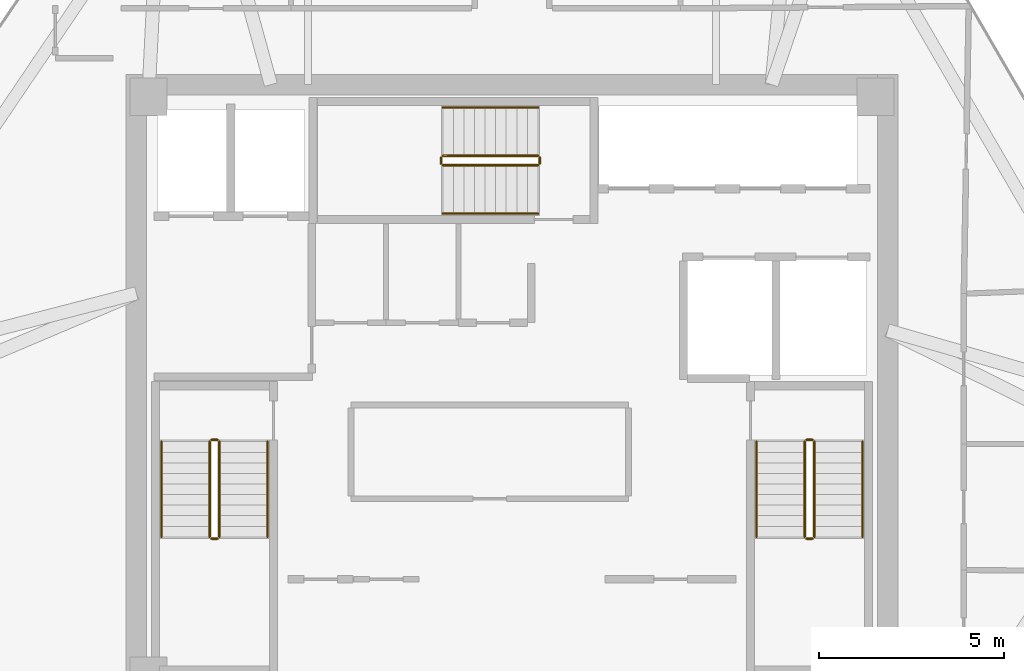
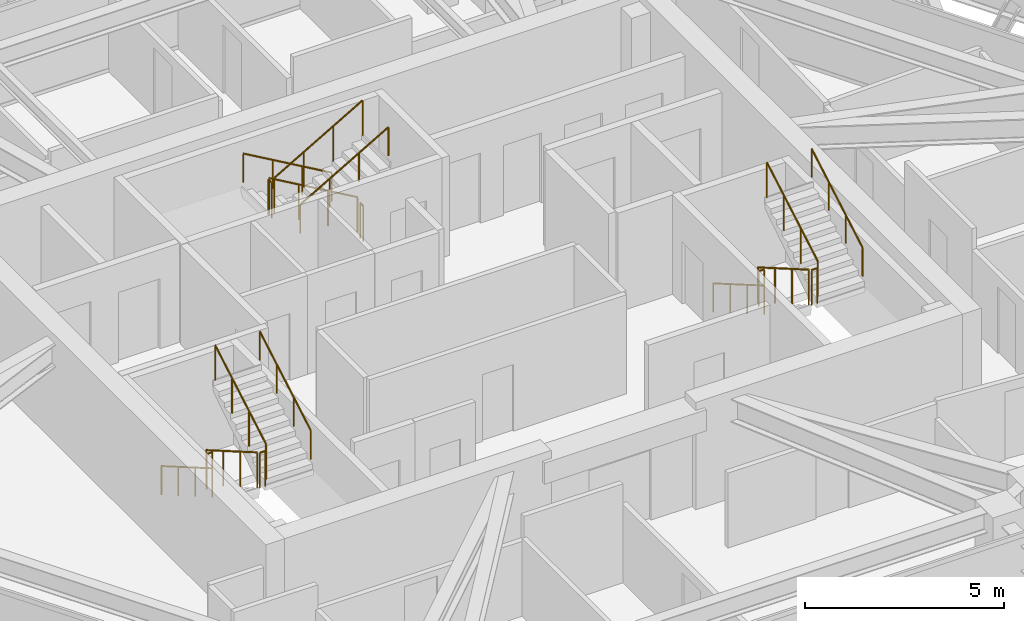
# One storey, part 11 of 11: 18 railings.
"""IFC4 building model written with IfcOpenShell, lengths in metres."""

from ifc_helpers import new_model, si_unit, direction, frame, origin, origin_2d, place, context, subcontext, project, spatial, circle, extrude, material, type_object, element, save


model = new_model("IFC4")

# Units and contexts
model_context = context("Model", 3, precision=1e-05, world=origin(), true_north=direction((0.0, 1.0)))
body_context = subcontext(model_context, "Body", "Model", "MODEL_VIEW")
ifc_project = project(units=[si_unit("LENGTHUNIT", "METRE"), si_unit("AREAUNIT", "SQUARE_METRE"), si_unit("VOLUMEUNIT", "CUBIC_METRE"), si_unit("PLANEANGLEUNIT", "RADIAN"), si_unit("MASSUNIT", "GRAM", prefix="KILO")], contexts=[model_context])

# Site, building, storey
site_placement = place(None, origin())
site = spatial("IfcSite", under=ifc_project, at=site_placement, CompositionType="ELEMENT")
building_placement = place(site_placement, origin())
building = spatial("IfcBuilding", under=site, at=building_placement, Name="Durnholm Broadcast Tower", CompositionType="ELEMENT")
storey_placement = place(building_placement, frame((0.0, 0.0, 231.5)))
storey = spatial("IfcBuildingStorey", under=building, at=storey_placement, Name="L64", CompositionType="ELEMENT", Elevation=231.5)

# Railings
ifc_material_1 = material(Name="Painted Tubular Steel Stair Guardrail", Category="steel")
railing_type_1 = type_object("IfcRailingType", Name="RAIL-ST-GRD", PredefinedType="GUARDRAIL", material=ifc_material_1)
railing_1_placement = place(storey_placement, frame((-8.14990234375, -1.5, 0.1650390625)))
element("IfcRailing", 1, at=railing_1_placement, inside=storey, type_object=railing_type_1, Name="L64 ST-1 stair guard 1", PredefinedType="GUARDRAIL", context=body_context, shape_type="SweptSolid", body=[
    extrude(circle(Radius=0.02392578125, at=origin_2d()), frame((0.0, 0.0, 1.076171875), z_axis=(0.0, -0.865441324677, 0.50101029285), x_axis=(1.0, 0.0, 0.0)), (0.0, 0.0, 1.0), 2.963623046875),
    extrude(circle(Radius=0.02099609375, at=origin_2d()), origin(), (0.0, 0.0, 1.0), 1.052001953125),
    extrude(circle(Radius=0.02099609375, at=origin_2d()), frame((0.0, -0.85498046875, 0.494873046875)), (0.0, 0.0, 1.0), 1.052001953125),
    extrude(circle(Radius=0.02099609375, at=origin_2d()), frame((0.0, -1.7099609375, 0.989990234375)), (0.0, 0.0, 1.0), 1.052001953125),
    extrude(circle(Radius=0.02099609375, at=origin_2d()), frame((0.0, -2.56494140625, 1.48486328125)), (0.0, 0.0, 1.0), 1.052001953125),
])
railing_2_placement = place(storey_placement, frame((-8.10009765625, -4.114990234375, 1.64990234375)))
element("IfcRailing", 2, at=railing_2_placement, inside=storey, type_object=railing_type_1, Name="L64 ST-1 stair guard 2", PredefinedType="GUARDRAIL", context=body_context, shape_type="SweptSolid", body=[
    extrude(circle(Radius=0.02392578125, at=origin_2d()), frame((0.0, 0.0, 1.076171875), z_axis=(1.0, 0.0, 0.0), x_axis=(0.0, 1.0, 0.0)), (0.0, 0.0, 1.0), 0.16015625),
    extrude(circle(Radius=0.02099609375, at=origin_2d()), origin(), (0.0, 0.0, 1.0), 1.052001953125),
    extrude(circle(Radius=0.02099609375, at=origin_2d()), frame((0.16015625, 0.0, 0.0)), (0.0, 0.0, 1.0), 1.052001953125),
])
railing_3_placement = place(storey_placement, frame((-7.889892578125, -4.06494140625, 1.81494140625)))
element("IfcRailing", 3, at=railing_3_placement, inside=storey, type_object=railing_type_1, Name="L64 ST-1 stair guard 3", PredefinedType="GUARDRAIL", context=body_context, shape_type="SweptSolid", body=[
    extrude(circle(Radius=0.02392578125, at=origin_2d()), frame((0.0, 0.0, 1.076171875), z_axis=(0.0, 0.865405606168, 0.501071987656), x_axis=(-1.0, 0.0, 0.0)), (0.0, 0.0, 1.0), 2.9638671875),
    extrude(circle(Radius=0.02099609375, at=origin_2d()), origin(), (0.0, 0.0, 1.0), 1.052001953125),
    extrude(circle(Radius=0.02099609375, at=origin_2d()), frame((0.0, 0.85498046875, 0.4951171875)), (0.0, 0.0, 1.0), 1.052001953125),
    extrude(circle(Radius=0.02099609375, at=origin_2d()), frame((0.0, 1.7099609375, 0.989990234375)), (0.0, 0.0, 1.0), 1.052001953125),
    extrude(circle(Radius=0.02099609375, at=origin_2d()), frame((0.0, 2.56494140625, 1.485107421875)), (0.0, 0.0, 1.0), 1.052001953125),
])
railing_4_placement = place(storey_placement, frame((-8.10009765625, -1.449951171875, 0.0)))
element("IfcRailing", 4, at=railing_4_placement, inside=storey, type_object=railing_type_1, Name="L64 ST-1 stair guard 4", PredefinedType="GUARDRAIL", context=body_context, shape_type="SweptSolid", body=[
    extrude(circle(Radius=0.02392578125, at=origin_2d()), frame((0.0, 0.0, 1.076171875), z_axis=(1.0, 0.0, 0.0), x_axis=(0.0, 1.0, 0.0)), (0.0, 0.0, 1.0), 0.16015625),
    extrude(circle(Radius=0.02099609375, at=origin_2d()), origin(), (0.0, 0.0, 1.0), 1.052001953125),
    extrude(circle(Radius=0.02099609375, at=origin_2d()), frame((0.16015625, 0.0, 0.0)), (0.0, 0.0, 1.0), 1.052001953125),
])
railing_5_placement = place(storey_placement, frame((7.889892578125, -1.5, 0.1650390625)))
element("IfcRailing", 5, at=railing_5_placement, inside=storey, type_object=railing_type_1, Name="L64 ST-2 stair guard 1", PredefinedType="GUARDRAIL", context=body_context, shape_type="SweptSolid", body=[
    extrude(circle(Radius=0.02392578125, at=origin_2d()), frame((0.0, 0.0, 1.076171875), z_axis=(0.0, -0.865441324677, 0.50101029285), x_axis=(1.0, 0.0, 0.0)), (0.0, 0.0, 1.0), 2.963623046875),
    extrude(circle(Radius=0.02099609375, at=origin_2d()), origin(), (0.0, 0.0, 1.0), 1.052001953125),
    extrude(circle(Radius=0.02099609375, at=origin_2d()), frame((0.0, -0.85498046875, 0.494873046875)), (0.0, 0.0, 1.0), 1.052001953125),
    extrude(circle(Radius=0.02099609375, at=origin_2d()), frame((0.0, -1.7099609375, 0.989990234375)), (0.0, 0.0, 1.0), 1.052001953125),
    extrude(circle(Radius=0.02099609375, at=origin_2d()), frame((0.0, -2.56494140625, 1.48486328125)), (0.0, 0.0, 1.0), 1.052001953125),
])
railing_6_placement = place(storey_placement, frame((7.93994140625, -4.114990234375, 1.64990234375)))
element("IfcRailing", 6, at=railing_6_placement, inside=storey, type_object=railing_type_1, Name="L64 ST-2 stair guard 2", PredefinedType="GUARDRAIL", context=body_context, shape_type="SweptSolid", body=[
    extrude(circle(Radius=0.02392578125, at=origin_2d()), frame((0.0, 0.0, 1.076171875), z_axis=(1.0, 0.0, 0.0), x_axis=(0.0, 1.0, 0.0)), (0.0, 0.0, 1.0), 0.16015625),
    extrude(circle(Radius=0.02099609375, at=origin_2d()), origin(), (0.0, 0.0, 1.0), 1.052001953125),
    extrude(circle(Radius=0.02099609375, at=origin_2d()), frame((0.16015625, 0.0, 0.0)), (0.0, 0.0, 1.0), 1.052001953125),
])
railing_7_placement = place(storey_placement, frame((8.14990234375, -4.06494140625, 1.81494140625)))
element("IfcRailing", 7, at=railing_7_placement, inside=storey, type_object=railing_type_1, Name="L64 ST-2 stair guard 3", PredefinedType="GUARDRAIL", context=body_context, shape_type="SweptSolid", body=[
    extrude(circle(Radius=0.02392578125, at=origin_2d()), frame((0.0, 0.0, 1.076171875), z_axis=(0.0, 0.865405606168, 0.501071987656), x_axis=(-1.0, 0.0, 0.0)), (0.0, 0.0, 1.0), 2.9638671875),
    extrude(circle(Radius=0.02099609375, at=origin_2d()), origin(), (0.0, 0.0, 1.0), 1.052001953125),
    extrude(circle(Radius=0.02099609375, at=origin_2d()), frame((0.0, 0.85498046875, 0.4951171875)), (0.0, 0.0, 1.0), 1.052001953125),
    extrude(circle(Radius=0.02099609375, at=origin_2d()), frame((0.0, 1.7099609375, 0.989990234375)), (0.0, 0.0, 1.0), 1.052001953125),
    extrude(circle(Radius=0.02099609375, at=origin_2d()), frame((0.0, 2.56494140625, 1.485107421875)), (0.0, 0.0, 1.0), 1.052001953125),
])
railing_8_placement = place(storey_placement, frame((7.93994140625, -1.449951171875, 0.0)))
element("IfcRailing", 8, at=railing_8_placement, inside=storey, type_object=railing_type_1, Name="L64 ST-2 stair guard 4", PredefinedType="GUARDRAIL", context=body_context, shape_type="SweptSolid", body=[
    extrude(circle(Radius=0.02392578125, at=origin_2d()), frame((0.0, 0.0, 1.076171875), z_axis=(1.0, 0.0, 0.0), x_axis=(0.0, 1.0, 0.0)), (0.0, 0.0, 1.0), 0.16015625),
    extrude(circle(Radius=0.02099609375, at=origin_2d()), origin(), (0.0, 0.0, 1.0), 1.052001953125),
    extrude(circle(Radius=0.02099609375, at=origin_2d()), frame((0.16015625, 0.0, 0.0)), (0.0, 0.0, 1.0), 1.052001953125),
])
railing_9_placement = place(storey_placement, frame((0.699951171875, 6.2099609375, 0.1650390625)))
element("IfcRailing", 9, at=railing_9_placement, inside=storey, type_object=railing_type_1, Name="L64 ST-3 stair guard 1", PredefinedType="GUARDRAIL", context=body_context, shape_type="SweptSolid", body=[
    extrude(circle(Radius=0.02392578125, at=origin_2d()), frame((0.0, 0.0, 1.076171875), z_axis=(-0.865441324677, 0.0, 0.50101029285), x_axis=(0.0, -1.0, 0.0)), (0.0, 0.0, 1.0), 2.963623046875),
    extrude(circle(Radius=0.02099609375, at=origin_2d()), origin(), (0.0, 0.0, 1.0), 1.052001953125),
    extrude(circle(Radius=0.02099609375, at=origin_2d()), frame((-0.85498046875, 0.0, 0.494873046875)), (0.0, 0.0, 1.0), 1.052001953125),
    extrude(circle(Radius=0.02099609375, at=origin_2d()), frame((-1.7099609375, 0.0, 0.989990234375)), (0.0, 0.0, 1.0), 1.052001953125),
    extrude(circle(Radius=0.02099609375, at=origin_2d()), frame((-2.56494140625, 0.0, 1.48486328125)), (0.0, 0.0, 1.0), 1.052001953125),
])
railing_10_placement = place(storey_placement, frame((-1.9150390625, 6.159912109375, 1.64990234375)))
element("IfcRailing", 10, at=railing_10_placement, inside=storey, type_object=railing_type_1, Name="L64 ST-3 stair guard 2", PredefinedType="GUARDRAIL", context=body_context, shape_type="SweptSolid", body=[
    extrude(circle(Radius=0.02392578125, at=origin_2d()), frame((0.0, 0.0, 1.076171875), z_axis=(0.0, -1.0, 0.0), x_axis=(1.0, 0.0, 0.0)), (0.0, 0.0, 1.0), 0.159912109375),
    extrude(circle(Radius=0.02099609375, at=origin_2d()), origin(), (0.0, 0.0, 1.0), 1.052001953125),
    extrude(circle(Radius=0.02099609375, at=origin_2d()), frame((0.0, -0.159912109375, 0.0)), (0.0, 0.0, 1.0), 1.052001953125),
])
railing_11_placement = place(storey_placement, frame((-1.864990234375, 5.949951171875, 1.81494140625)))
element("IfcRailing", 11, at=railing_11_placement, inside=storey, type_object=railing_type_1, Name="L64 ST-3 stair guard 3", PredefinedType="GUARDRAIL", context=body_context, shape_type="SweptSolid", body=[
    extrude(circle(Radius=0.02392578125, at=origin_2d()), frame((0.0, 0.0, 1.076171875), z_axis=(0.865405606168, 0.0, 0.501071987656), x_axis=(0.0, 1.0, 0.0)), (0.0, 0.0, 1.0), 2.9638671875),
    extrude(circle(Radius=0.02099609375, at=origin_2d()), origin(), (0.0, 0.0, 1.0), 1.052001953125),
    extrude(circle(Radius=0.02099609375, at=origin_2d()), frame((0.85498046875, 0.0, 0.4951171875)), (0.0, 0.0, 1.0), 1.052001953125),
    extrude(circle(Radius=0.02099609375, at=origin_2d()), frame((1.7099609375, 0.0, 0.989990234375)), (0.0, 0.0, 1.0), 1.052001953125),
    extrude(circle(Radius=0.02099609375, at=origin_2d()), frame((2.56494140625, 0.0, 1.485107421875)), (0.0, 0.0, 1.0), 1.052001953125),
])
railing_12_placement = place(storey_placement, frame((0.75, 6.159912109375, 0.0)))
element("IfcRailing", 12, at=railing_12_placement, inside=storey, type_object=railing_type_1, Name="L64 ST-3 stair guard 4", PredefinedType="GUARDRAIL", context=body_context, shape_type="SweptSolid", body=[
    extrude(circle(Radius=0.02392578125, at=origin_2d()), frame((0.0, 0.0, 1.076171875), z_axis=(0.0, -1.0, 0.0), x_axis=(1.0, 0.0, 0.0)), (0.0, 0.0, 1.0), 0.159912109375),
    extrude(circle(Radius=0.02099609375, at=origin_2d()), origin(), (0.0, 0.0, 1.0), 1.052001953125),
    extrude(circle(Radius=0.02099609375, at=origin_2d()), frame((0.0, -0.159912109375, 0.0)), (0.0, 0.0, 1.0), 1.052001953125),
])
ifc_material_2 = material(Name="Brushed Stainless Steel Handrail", Category="steel")
railing_type_2 = type_object("IfcRailingType", Name="RAIL-ST-HND", PredefinedType="HANDRAIL", material=ifc_material_2)
railing_13_placement = place(storey_placement, frame((-9.449951171875, -1.5, 0.330078125)))
element("IfcRailing", 13, at=railing_13_placement, inside=storey, type_object=railing_type_2, Name="L64 ST-1 stair handrail 1", PredefinedType="HANDRAIL", context=body_context, shape_type="SweptSolid", body=[
    extrude(circle(Radius=0.02392578125, at=origin_2d()), frame((0.0, 0.0, 0.8759765625), z_axis=(0.0, -0.865441324677, 0.50101029285), x_axis=(1.0, 0.0, 0.0)), (0.0, 0.0, 1.0), 2.963623046875),
    extrude(circle(Radius=0.02099609375, at=origin_2d()), origin(), (0.0, 0.0, 1.0), 0.851806640625),
    extrude(circle(Radius=0.02099609375, at=origin_2d()), frame((0.0, -0.85498046875, 0.494873046875)), (0.0, 0.0, 1.0), 0.851806640625),
    extrude(circle(Radius=0.02099609375, at=origin_2d()), frame((0.0, -1.7099609375, 0.989990234375)), (0.0, 0.0, 1.0), 0.851806640625),
    extrude(circle(Radius=0.02099609375, at=origin_2d()), frame((0.0, -2.56494140625, 1.48486328125)), (0.0, 0.0, 1.0), 0.851806640625),
])
railing_14_placement = place(storey_placement, frame((-6.590087890625, -4.06494140625, 1.97998046875)))
element("IfcRailing", 14, at=railing_14_placement, inside=storey, type_object=railing_type_2, Name="L64 ST-1 stair handrail 2", PredefinedType="HANDRAIL", context=body_context, shape_type="SweptSolid", body=[
    extrude(circle(Radius=0.02392578125, at=origin_2d()), frame((0.0, 0.0, 0.8759765625), z_axis=(0.0, 0.865405606168, 0.501071987656), x_axis=(-1.0, 0.0, 0.0)), (0.0, 0.0, 1.0), 2.9638671875),
    extrude(circle(Radius=0.02099609375, at=origin_2d()), origin(), (0.0, 0.0, 1.0), 0.851806640625),
    extrude(circle(Radius=0.02099609375, at=origin_2d()), frame((0.0, 0.85498046875, 0.4951171875)), (0.0, 0.0, 1.0), 0.851806640625),
    extrude(circle(Radius=0.02099609375, at=origin_2d()), frame((0.0, 1.7099609375, 0.989990234375)), (0.0, 0.0, 1.0), 0.851806640625),
    extrude(circle(Radius=0.02099609375, at=origin_2d()), frame((0.0, 2.56494140625, 1.485107421875)), (0.0, 0.0, 1.0), 0.851806640625),
])
railing_15_placement = place(storey_placement, frame((6.590087890625, -1.5, 0.330078125)))
element("IfcRailing", 15, at=railing_15_placement, inside=storey, type_object=railing_type_2, Name="L64 ST-2 stair handrail 1", PredefinedType="HANDRAIL", context=body_context, shape_type="SweptSolid", body=[
    extrude(circle(Radius=0.02392578125, at=origin_2d()), frame((0.0, 0.0, 0.8759765625), z_axis=(0.0, -0.865441324677, 0.50101029285), x_axis=(1.0, 0.0, 0.0)), (0.0, 0.0, 1.0), 2.963623046875),
    extrude(circle(Radius=0.02099609375, at=origin_2d()), origin(), (0.0, 0.0, 1.0), 0.851806640625),
    extrude(circle(Radius=0.02099609375, at=origin_2d()), frame((0.0, -0.85498046875, 0.494873046875)), (0.0, 0.0, 1.0), 0.851806640625),
    extrude(circle(Radius=0.02099609375, at=origin_2d()), frame((0.0, -1.7099609375, 0.989990234375)), (0.0, 0.0, 1.0), 0.851806640625),
    extrude(circle(Radius=0.02099609375, at=origin_2d()), frame((0.0, -2.56494140625, 1.48486328125)), (0.0, 0.0, 1.0), 0.851806640625),
])
railing_16_placement = place(storey_placement, frame((9.449951171875, -4.06494140625, 1.97998046875)))
element("IfcRailing", 16, at=railing_16_placement, inside=storey, type_object=railing_type_2, Name="L64 ST-2 stair handrail 2", PredefinedType="HANDRAIL", context=body_context, shape_type="SweptSolid", body=[
    extrude(circle(Radius=0.02392578125, at=origin_2d()), frame((0.0, 0.0, 0.8759765625), z_axis=(0.0, 0.865405606168, 0.501071987656), x_axis=(-1.0, 0.0, 0.0)), (0.0, 0.0, 1.0), 2.9638671875),
    extrude(circle(Radius=0.02099609375, at=origin_2d()), origin(), (0.0, 0.0, 1.0), 0.851806640625),
    extrude(circle(Radius=0.02099609375, at=origin_2d()), frame((0.0, 0.85498046875, 0.4951171875)), (0.0, 0.0, 1.0), 0.851806640625),
    extrude(circle(Radius=0.02099609375, at=origin_2d()), frame((0.0, 1.7099609375, 0.989990234375)), (0.0, 0.0, 1.0), 0.851806640625),
    extrude(circle(Radius=0.02099609375, at=origin_2d()), frame((0.0, 2.56494140625, 1.485107421875)), (0.0, 0.0, 1.0), 0.851806640625),
])
railing_17_placement = place(storey_placement, frame((0.699951171875, 7.510009765625, 0.330078125)))
element("IfcRailing", 17, at=railing_17_placement, inside=storey, type_object=railing_type_2, Name="L64 ST-3 stair handrail 1", PredefinedType="HANDRAIL", context=body_context, shape_type="SweptSolid", body=[
    extrude(circle(Radius=0.02392578125, at=origin_2d()), frame((0.0, 0.0, 0.8759765625), z_axis=(-0.865441324677, 0.0, 0.50101029285), x_axis=(0.0, -1.0, 0.0)), (0.0, 0.0, 1.0), 2.963623046875),
    extrude(circle(Radius=0.02099609375, at=origin_2d()), origin(), (0.0, 0.0, 1.0), 0.851806640625),
    extrude(circle(Radius=0.02099609375, at=origin_2d()), frame((-0.85498046875, 0.0, 0.494873046875)), (0.0, 0.0, 1.0), 0.851806640625),
    extrude(circle(Radius=0.02099609375, at=origin_2d()), frame((-1.7099609375, 0.0, 0.989990234375)), (0.0, 0.0, 1.0), 0.851806640625),
    extrude(circle(Radius=0.02099609375, at=origin_2d()), frame((-2.56494140625, 0.0, 1.48486328125)), (0.0, 0.0, 1.0), 0.851806640625),
])
railing_18_placement = place(storey_placement, frame((-1.864990234375, 4.64990234375, 1.97998046875)))
element("IfcRailing", 18, at=railing_18_placement, inside=storey, type_object=railing_type_2, Name="L64 ST-3 stair handrail 2", PredefinedType="HANDRAIL", context=body_context, shape_type="SweptSolid", body=[
    extrude(circle(Radius=0.02392578125, at=origin_2d()), frame((0.0, 0.0, 0.8759765625), z_axis=(0.865405606168, 0.0, 0.501071987656), x_axis=(0.0, 1.0, 0.0)), (0.0, 0.0, 1.0), 2.9638671875),
    extrude(circle(Radius=0.02099609375, at=origin_2d()), origin(), (0.0, 0.0, 1.0), 0.851806640625),
    extrude(circle(Radius=0.02099609375, at=origin_2d()), frame((0.85498046875, 0.0, 0.4951171875)), (0.0, 0.0, 1.0), 0.851806640625),
    extrude(circle(Radius=0.02099609375, at=origin_2d()), frame((1.7099609375, 0.0, 0.989990234375)), (0.0, 0.0, 1.0), 0.851806640625),
    extrude(circle(Radius=0.02099609375, at=origin_2d()), frame((2.56494140625, 0.0, 1.485107421875)), (0.0, 0.0, 1.0), 0.851806640625),
])

save(model, "model.ifc")
